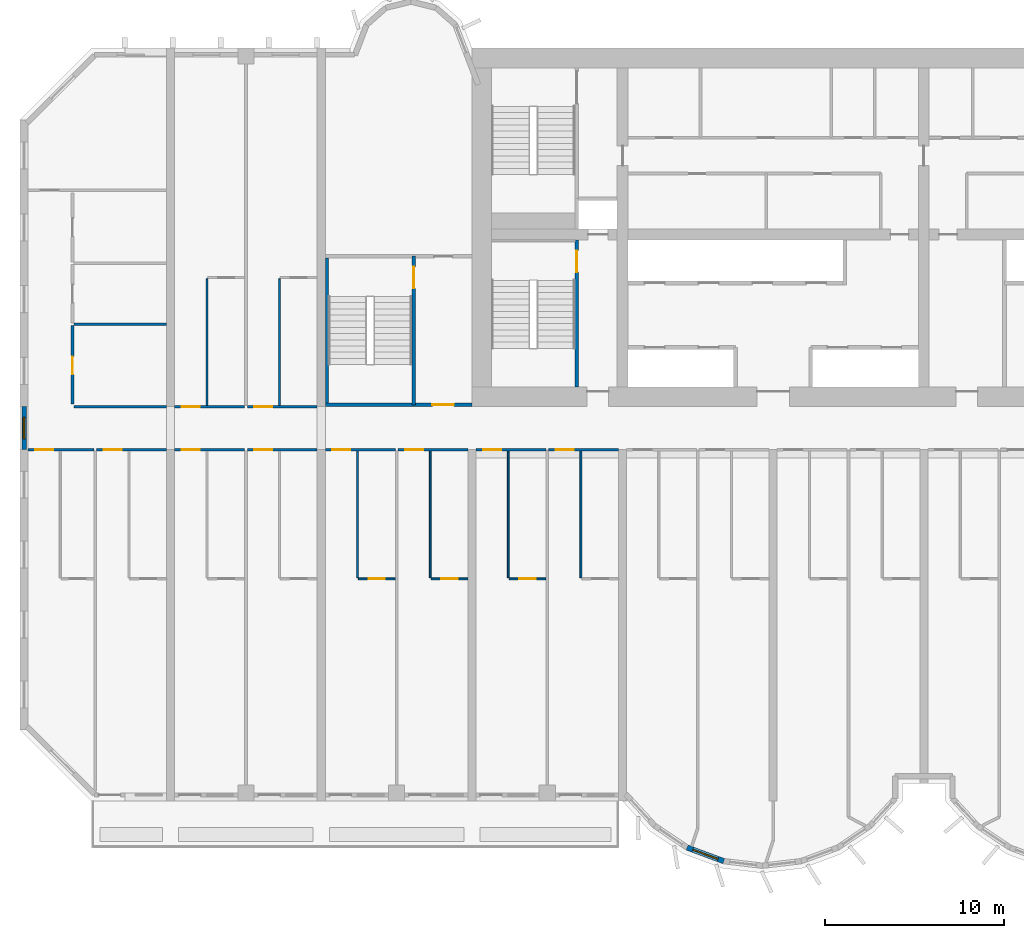
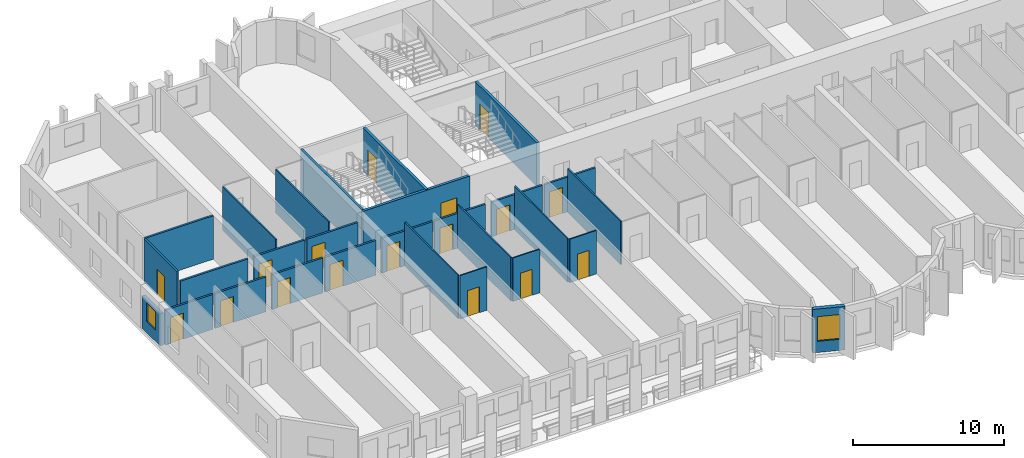
# One storey, part 3 of 15: 28 walls, 17 doors, 2 windows, 19 openings.
"""IFC4 building model written with IfcOpenShell, lengths in metres."""

from ifc_helpers import new_model, si_unit, direction, frame, frame_2d, origin, place, context, subcontext, project, spatial, rectangle, extrude, source, transform, mapped, material, layer, layer_set, type_object, element, fill, save


model = new_model("IFC4")

# Units and contexts
model_context = context("Model", 3, precision=1e-05, world=origin(), true_north=direction((0.0, 1.0)))
body_context = subcontext(model_context, "Body", "Model", "MODEL_VIEW")
ifc_project = project(units=[si_unit("LENGTHUNIT", "METRE"), si_unit("AREAUNIT", "SQUARE_METRE"), si_unit("VOLUMEUNIT", "CUBIC_METRE"), si_unit("PLANEANGLEUNIT", "RADIAN"), si_unit("MASSUNIT", "GRAM", prefix="KILO")], contexts=[model_context])

# Site, building, storey
site_placement = place(None, origin())
site = spatial("IfcSite", under=ifc_project, at=site_placement, CompositionType="ELEMENT")
building_placement = place(site_placement, origin())
building = spatial("IfcBuilding", under=site, at=building_placement, Name="Vanashikhar Sky Hotel", CompositionType="ELEMENT")
storey_placement = place(building_placement, frame((0.0, 0.0, 31.60009765625)))
storey = spatial("IfcBuildingStorey", under=building, at=storey_placement, Name="L06", CompositionType="ELEMENT", Elevation=31.60009765625)

# Wall, opening, window
ifc_material_1 = material(Name="Concrete M50", Category="concrete")
ifc_layer_1 = layer(ifc_material_1, 0.300048828125)
ifc_layer_set_1 = layer_set([ifc_layer_1], Name="Lobe wall 300")
wall_type_1 = type_object("IfcWallType", Name="Lobe wall 300", PredefinedType="SOLIDWALL", material=ifc_layer_set_1)
shared_shape_1 = source(origin(), body_context, "Body", "SweptSolid", [
    extrude(rectangle(XDim=2.17578125, YDim=0.300048828125, at=frame_2d((1.087890625, 0.0))), origin(), (0.0, 0.0, 1.0), 3.52001953125),
])
wall_1_placement = place(storey_placement, frame((37.20068359375, -2.58349609375, 0.0), z_axis=(0.0, 0.0, 1.0), x_axis=(0.93754555999, -0.347862505801, 0.0)))
wall_1 = element("IfcWall", 1, at=wall_1_placement, inside=storey, type_object=wall_type_1, Name="Lobe wall", PredefinedType="SOLIDWALL", context=body_context, shape_type="MappedRepresentation", body=[
    mapped(shared_shape_1, transform((0.0, 0.0, 0.0), scale=1.0)),
])
shared_shape_2 = source(origin(), body_context, "Body", "SweptSolid", [
    extrude(rectangle(XDim=1.5, YDim=2.0, at=frame_2d((0.75, 1.0))), frame((0.0, 0.16015625, 0.0), z_axis=(0.0, -1.0, 0.0), x_axis=(1.0, 0.0, 0.0)), (0.0, 0.0, 1.0), 0.320068359375),
])
opening_1_placement = place(wall_1_placement, frame((0.337890625, 0.0, 0.89990234375)))
opening_1 = element("IfcOpeningElement", 2, at=opening_1_placement, cuts=wall_1, Name="Opening WN-2", PredefinedType="OPENING", context=body_context, shape_type="MappedRepresentation", body=[
    mapped(shared_shape_2, transform((0.0, 0.0, 0.0), scale=1.0)),
])
ifc_material_2 = material(Name="Glass", Category="glass")
window_type_1 = type_object("IfcWindowType", Name="Lobe window 1500 x 2000", PartitioningType="SINGLE_PANEL", PredefinedType="WINDOW", material=ifc_material_2)
shared_shape_3 = source(origin(), body_context, "Body", "SweptSolid", [
    extrude(rectangle(XDim=1.5, YDim=2.0, at=frame_2d((0.75, 1.0))), frame((0.0, 0.030029296875, 0.0), z_axis=(0.0, -1.0, 0.0), x_axis=(1.0, 0.0, 0.0)), (0.0, 0.0, 1.0), 0.06005859375),
])
window_1_placement = place(opening_1_placement, origin())
window_1 = element("IfcWindow", 3, at=window_1_placement, inside=storey, type_object=window_type_1, Name="Window WN-2", OverallHeight=2.0, OverallWidth=1.5, PartitioningType="SINGLE_PANEL", PredefinedType="WINDOW", context=body_context, shape_type="MappedRepresentation", body=[
    mapped(shared_shape_3, transform((0.0, 0.0, 0.0), scale=1.0)),
])
fill(opening_1, window_1)

ifc_layer_2 = layer(ifc_material_1, 0.25)
ifc_layer_set_2 = layer_set([ifc_layer_2], Name="Rear and end board-marked wall 250")
wall_type_2 = type_object("IfcWallType", Name="Rear and end board-marked wall 250", PredefinedType="SOLIDWALL", material=ifc_layer_set_2)
shared_shape_4 = source(origin(), body_context, "Body", "SweptSolid", [
    extrude(rectangle(XDim=2.39990234375, YDim=0.25, at=frame_2d((1.199951171875, 0.0))), origin(), (0.0, 0.0, 1.0), 2.619873046875),
])
wall_2_placement = place(storey_placement, frame((0.22509765625, 19.60009765625, 0.0), z_axis=(0.0, 0.0, 1.0), x_axis=(0.0, 1.0, 0.0)))
wall_2 = element("IfcWall", 4, at=wall_2_placement, inside=storey, type_object=wall_type_2, Name="End corridor infill wall", PredefinedType="SOLIDWALL", context=body_context, shape_type="MappedRepresentation", body=[
    mapped(shared_shape_4, transform((0.0, 0.0, 0.0), scale=1.0)),
])
shared_shape_5 = source(origin(), body_context, "Body", "SweptSolid", [
    extrude(rectangle(XDim=1.199951171875, YDim=1.5, at=frame_2d((0.60009765625, 0.75))), frame((0.0, 0.135009765625, 0.0), z_axis=(0.0, -1.0, 0.0), x_axis=(1.0, 0.0, 0.0)), (0.0, 0.0, 1.0), 0.27001953125),
])
opening_2_placement = place(wall_2_placement, frame((0.60009765625, 0.0, 0.89990234375)))
opening_2 = element("IfcOpeningElement", 5, at=opening_2_placement, cuts=wall_2, Name="Opening WN-3", PredefinedType="OPENING", context=body_context, shape_type="MappedRepresentation", body=[
    mapped(shared_shape_5, transform((0.0, 0.0, 0.0), scale=1.0)),
])
window_type_2 = type_object("IfcWindowType", Name="Corridor end window 1200 x 1500", PartitioningType="SINGLE_PANEL", PredefinedType="WINDOW", material=ifc_material_2)
shared_shape_6 = source(origin(), body_context, "Body", "SweptSolid", [
    extrude(rectangle(XDim=1.199951171875, YDim=1.5, at=frame_2d((0.60009765625, 0.75))), frame((0.0, 0.030029296875, 0.0), z_axis=(0.0, -1.0, 0.0), x_axis=(1.0, 0.0, 0.0)), (0.0, 0.0, 1.0), 0.06005859375),
])
window_2_placement = place(opening_2_placement, origin())
window_2 = element("IfcWindow", 6, at=window_2_placement, inside=storey, type_object=window_type_2, Name="Window WN-3", OverallHeight=1.5, OverallWidth=1.199951171875, PartitioningType="SINGLE_PANEL", PredefinedType="WINDOW", context=body_context, shape_type="MappedRepresentation", body=[
    mapped(shared_shape_6, transform((0.0, 0.0, 0.0), scale=1.0)),
])
fill(opening_2, window_2)

# Wall, opening, door
ifc_layer_3 = layer(ifc_material_1, 0.199951171875)
ifc_layer_set_3 = layer_set([ifc_layer_3], Name="Stair wall 200")
wall_type_3 = type_object("IfcWallType", Name="Stair wall 200", PredefinedType="SOLIDWALL", material=ifc_layer_set_3)
shared_shape_7 = source(origin(), body_context, "Body", "SweptSolid", [
    extrude(rectangle(XDim=8.199951171875, YDim=0.199951171875, at=frame_2d((4.10009765625, 0.0))), origin(), (0.0, 0.0, 1.0), 3.52001953125),
])
wall_3_placement = place(storey_placement, frame((31.050048828125, 23.10009765625, 0.0), z_axis=(0.0, 0.0, 1.0), x_axis=(0.0, 1.0, 0.0)))
wall_3 = element("IfcWall", 7, at=wall_3_placement, inside=storey, type_object=wall_type_3, Name="Stair wall 200", PredefinedType="SOLIDWALL", context=body_context, shape_type="MappedRepresentation", body=[
    mapped(shared_shape_7, transform((0.0, 0.0, 0.0), scale=1.0)),
])
shared_shape_8 = source(origin(), body_context, "Body", "SweptSolid", [
    extrude(rectangle(XDim=1.199951171875, YDim=2.10009765625, at=frame_2d((0.60009765625, 1.050048828125))), frame((0.0, 0.10986328125, 0.0), z_axis=(0.0, -1.0, 0.0), x_axis=(1.0, 0.0, 0.0)), (0.0, 0.0, 1.0), 0.219970703125),
])
opening_3_placement = place(wall_3_placement, frame((6.39990234375, 0.0, 0.0)))
opening_3 = element("IfcOpeningElement", 8, at=opening_3_placement, cuts=wall_3, Name="Opening DC-1", PredefinedType="OPENING", context=body_context, shape_type="MappedRepresentation", body=[
    mapped(shared_shape_8, transform((0.0, 0.0, 0.0), scale=1.0)),
])
ifc_material_3 = material(Name="Steel", Category="steel")
door_type_1 = type_object("IfcDoorType", Name="Stair door 1200 FD120", OperationType="NOTDEFINED", PredefinedType="DOOR", material=ifc_material_3)
shared_shape_9 = source(origin(), body_context, "Body", "SweptSolid", [
    extrude(rectangle(XDim=1.199951171875, YDim=2.10009765625, at=frame_2d((0.60009765625, 1.050048828125))), frame((0.0, 0.02490234375, 0.0), z_axis=(0.0, -1.0, 0.0), x_axis=(1.0, 0.0, 0.0)), (0.0, 0.0, 1.0), 0.050048828125),
])
door_1_placement = place(opening_3_placement, origin())
door_1 = element("IfcDoor", 9, at=door_1_placement, inside=storey, type_object=door_type_1, Name="Stair door 1200 FD120", OperationType="SINGLE_SWING_LEFT", OverallHeight=2.10009765625, OverallWidth=1.199951171875, PredefinedType="DOOR", context=body_context, shape_type="MappedRepresentation", body=[
    mapped(shared_shape_9, transform((0.0, 0.0, 0.0), scale=1.0)),
])
fill(opening_3, door_1)

shared_shape_10 = source(origin(), body_context, "Body", "SweptSolid", [
    extrude(rectangle(XDim=8.2998046875, YDim=0.199951171875, at=frame_2d((4.14990234375, 0.0))), origin(), (0.0, 0.0, 1.0), 3.52001953125),
])
wall_4_placement = place(storey_placement, frame((21.949951171875, 22.10009765625, 0.0), z_axis=(0.0, 0.0, 1.0), x_axis=(0.0, 1.0, 0.0)))
wall_4 = element("IfcWall", 10, at=wall_4_placement, inside=storey, type_object=wall_type_3, Name="Stair wall 200", PredefinedType="SOLIDWALL", context=body_context, shape_type="MappedRepresentation", body=[
    mapped(shared_shape_10, transform((0.0, 0.0, 0.0), scale=1.0)),
])
opening_4_placement = place(wall_4_placement, frame((6.5, 0.0, 0.0)))
opening_4 = element("IfcOpeningElement", 11, at=opening_4_placement, cuts=wall_4, Name="Opening DC-1", PredefinedType="OPENING", context=body_context, shape_type="MappedRepresentation", body=[
    mapped(shared_shape_8, transform((0.0, 0.0, 0.0), scale=1.0)),
])
door_2_placement = place(opening_4_placement, origin())
door_2 = element("IfcDoor", 12, at=door_2_placement, inside=storey, type_object=door_type_1, Name="Stair door 1200 FD120", OperationType="SINGLE_SWING_LEFT", OverallHeight=2.10009765625, OverallWidth=1.199951171875, PredefinedType="DOOR", context=body_context, shape_type="MappedRepresentation", body=[
    mapped(shared_shape_9, transform((0.0, 0.0, 0.0), scale=1.0)),
])
fill(opening_4, door_2)

shared_shape_11 = source(origin(), body_context, "Body", "SweptSolid", [
    extrude(rectangle(XDim=8.175048828125, YDim=0.199951171875, at=frame_2d((4.08740234375, 0.0))), origin(), (0.0, 0.0, 1.0), 3.52001953125),
])
wall_5_placement = place(storey_placement, frame((17.02490234375, 22.10009765625, 0.0), z_axis=(0.0, 0.0, 1.0), x_axis=(1.0, 0.0, 0.0)))
wall_5 = element("IfcWall", 13, at=wall_5_placement, inside=storey, type_object=wall_type_3, Name="Stair wall 200", PredefinedType="SOLIDWALL", context=body_context, shape_type="MappedRepresentation", body=[
    mapped(shared_shape_11, transform((0.0, 0.0, 0.0), scale=1.0)),
])
opening_5_placement = place(wall_5_placement, frame((5.97509765625, 0.0, 0.0)))
opening_5 = element("IfcOpeningElement", 14, at=opening_5_placement, cuts=wall_5, Name="Opening DC-2", PredefinedType="OPENING", context=body_context, shape_type="MappedRepresentation", body=[
    mapped(shared_shape_8, transform((0.0, 0.0, 0.0), scale=1.0)),
])
door_type_2 = type_object("IfcDoorType", Name="Firefighting lobby door 1200 FD120", OperationType="NOTDEFINED", PredefinedType="DOOR", material=ifc_material_3)
door_3_placement = place(opening_5_placement, origin())
door_3 = element("IfcDoor", 15, at=door_3_placement, inside=storey, type_object=door_type_2, Name="Firefighting lobby door 1200 FD120", OperationType="SINGLE_SWING_LEFT", OverallHeight=2.10009765625, OverallWidth=1.199951171875, PredefinedType="DOOR", context=body_context, shape_type="MappedRepresentation", body=[
    mapped(shared_shape_9, transform((0.0, 0.0, 0.0), scale=1.0)),
])
fill(opening_5, door_3)

# Walls
ifc_layer_4 = layer(ifc_material_1, 0.175048828125)
ifc_layer_set_4 = layer_set([ifc_layer_4], Name="Stair infill wall 175")
wall_type_4 = type_object("IfcWallType", Name="Stair infill wall 175", PredefinedType="SOLIDWALL", material=ifc_layer_set_4)
shared_shape_12 = source(origin(), body_context, "Body", "SweptSolid", [
    extrude(rectangle(XDim=8.10009765625, YDim=0.175048828125, at=frame_2d((4.050048828125, 0.0))), origin(), (0.0, 0.0, 1.0), 3.52001953125),
])
wall_6_placement = place(storey_placement, frame((17.112060546875, 22.199951171875, 0.0), z_axis=(0.0, 0.0, 1.0), x_axis=(0.0, 1.0, 0.0)))
element("IfcWall", 16, at=wall_6_placement, inside=storey, type_object=wall_type_4, Name="Stair infill wall 175", PredefinedType="SOLIDWALL", context=body_context, shape_type="MappedRepresentation", body=[
    mapped(shared_shape_12, transform((0.0, 0.0, 0.0), scale=1.0)),
])
ifc_material_4 = material(Name="Gypsum plasterboard partition")
ifc_layer_5 = layer(ifc_material_4, 0.10009765625)
ifc_layer_set_5 = layer_set([ifc_layer_5], Name="Wet room partition 100")
wall_type_5 = type_object("IfcWallType", Name="Wet room partition 100", PredefinedType="PARTITIONING", material=ifc_layer_set_5)
shared_shape_13 = source(origin(), body_context, "Body", "SweptSolid", [
    extrude(rectangle(XDim=7.0498046875, YDim=0.10009765625, at=frame_2d((3.52490234375, 0.0))), origin(), (0.0, 0.0, 1.0), 3.52001953125),
])
for number, where, z_axis, x_axis, name in (
    (17, (18.824951171875, 12.47509765625, 0.0), (0.0, 0.0, 1.0), (0.0, 1.0, 0.0), "W-L06-PW015"),
    (18, (22.875, 12.47509765625, 0.0), (0.0, 0.0, 1.0), (0.0, 1.0, 0.0), "W-L06-PW018"),
    (19, (27.22509765625, 12.47509765625, 0.0), (0.0, 0.0, 1.0), (0.0, 1.0, 0.0), "W-L06-PW022"),
    (20, (31.27490234375, 12.47509765625, 0.0), (0.0, 0.0, 1.0), (0.0, 1.0, 0.0), "W-L06-PW025"),
):
    element("IfcWall", number, at=place(storey_placement, frame(where, z_axis=z_axis, x_axis=x_axis)), inside=storey, type_object=wall_type_5, Name=name, PredefinedType="PARTITIONING", context=body_context, shape_type="MappedRepresentation", body=[
        mapped(shared_shape_13, transform((0.0, 0.0, 0.0), scale=1.0)),
    ])

# Wall, opening, door
shared_shape_14 = source(origin(), body_context, "Body", "SweptSolid", [
    extrude(rectangle(XDim=2.050048828125, YDim=0.10009765625, at=frame_2d((1.02490234375, 0.0))), origin(), (0.0, 0.0, 1.0), 3.52001953125),
])
wall_7_placement = place(storey_placement, frame((18.875, 12.39990234375, 0.0), z_axis=(0.0, 0.0, 1.0), x_axis=(1.0, 0.0, 0.0)))
wall_7 = element("IfcWall", 21, at=wall_7_placement, inside=storey, type_object=wall_type_5, Name="W-L06-PW016", PredefinedType="PARTITIONING", context=body_context, shape_type="MappedRepresentation", body=[
    mapped(shared_shape_14, transform((0.0, 0.0, 0.0), scale=1.0)),
])
shared_shape_15 = source(origin(), body_context, "Body", "SweptSolid", [
    extrude(rectangle(XDim=0.89990234375, YDim=2.10009765625, at=frame_2d((0.449951171875, 1.050048828125))), frame((0.0, 0.06005859375, 0.0), z_axis=(0.0, -1.0, 0.0), x_axis=(1.0, 0.0, 0.0)), (0.0, 0.0, 1.0), 0.1201171875),
])
opening_6_placement = place(wall_7_placement, frame((0.574951171875, 0.0, 0.0)))
opening_6 = element("IfcOpeningElement", 22, at=opening_6_placement, cuts=wall_7, Name="Opening D-02", PredefinedType="OPENING", context=body_context, shape_type="MappedRepresentation", body=[
    mapped(shared_shape_15, transform((0.0, 0.0, 0.0), scale=1.0)),
])
ifc_material_5 = material(Name="Timber door", Category="wood")
door_type_3 = type_object("IfcDoorType", Name="Internal door 900", OperationType="NOTDEFINED", PredefinedType="DOOR", material=ifc_material_5)
shared_shape_16 = source(origin(), body_context, "Body", "SweptSolid", [
    extrude(rectangle(XDim=0.89990234375, YDim=2.10009765625, at=frame_2d((0.449951171875, 1.050048828125))), frame((0.0, 0.02490234375, 0.0), z_axis=(0.0, -1.0, 0.0), x_axis=(1.0, 0.0, 0.0)), (0.0, 0.0, 1.0), 0.050048828125),
])
door_4_placement = place(opening_6_placement, origin())
door_4 = element("IfcDoor", 23, at=door_4_placement, inside=storey, type_object=door_type_3, Name="D-L06-009", OperationType="SINGLE_SWING_LEFT", OverallHeight=2.10009765625, OverallWidth=0.89990234375, PredefinedType="DOOR", context=body_context, shape_type="MappedRepresentation", body=[
    mapped(shared_shape_16, transform((0.0, 0.0, 0.0), scale=1.0)),
])
fill(opening_6, door_4)

wall_8_placement = place(storey_placement, frame((22.925048828125, 12.39990234375, 0.0), z_axis=(0.0, 0.0, 1.0), x_axis=(1.0, 0.0, 0.0)))
wall_8 = element("IfcWall", 24, at=wall_8_placement, inside=storey, type_object=wall_type_5, Name="W-L06-PW019", PredefinedType="PARTITIONING", context=body_context, shape_type="MappedRepresentation", body=[
    mapped(shared_shape_14, transform((0.0, 0.0, 0.0), scale=1.0)),
])
opening_7_placement = place(wall_8_placement, frame((0.574951171875, 0.0, 0.0)))
opening_7 = element("IfcOpeningElement", 25, at=opening_7_placement, cuts=wall_8, Name="Opening D-02", PredefinedType="OPENING", context=body_context, shape_type="MappedRepresentation", body=[
    mapped(shared_shape_15, transform((0.0, 0.0, 0.0), scale=1.0)),
])
door_5_placement = place(opening_7_placement, origin())
door_5 = element("IfcDoor", 26, at=door_5_placement, inside=storey, type_object=door_type_3, Name="D-L06-011", OperationType="SINGLE_SWING_LEFT", OverallHeight=2.10009765625, OverallWidth=0.89990234375, PredefinedType="DOOR", context=body_context, shape_type="MappedRepresentation", body=[
    mapped(shared_shape_16, transform((0.0, 0.0, 0.0), scale=1.0)),
])
fill(opening_7, door_5)

wall_9_placement = place(storey_placement, frame((27.27490234375, 12.39990234375, 0.0), z_axis=(0.0, 0.0, 1.0), x_axis=(1.0, 0.0, 0.0)))
wall_9 = element("IfcWall", 27, at=wall_9_placement, inside=storey, type_object=wall_type_5, Name="W-L06-PW023", PredefinedType="PARTITIONING", context=body_context, shape_type="MappedRepresentation", body=[
    mapped(shared_shape_14, transform((0.0, 0.0, 0.0), scale=1.0)),
])
opening_8_placement = place(wall_9_placement, frame((0.574951171875, 0.0, 0.0)))
opening_8 = element("IfcOpeningElement", 28, at=opening_8_placement, cuts=wall_9, Name="Opening D-02", PredefinedType="OPENING", context=body_context, shape_type="MappedRepresentation", body=[
    mapped(shared_shape_15, transform((0.0, 0.0, 0.0), scale=1.0)),
])
door_6_placement = place(opening_8_placement, origin())
door_6 = element("IfcDoor", 29, at=door_6_placement, inside=storey, type_object=door_type_3, Name="D-L06-013", OperationType="SINGLE_SWING_LEFT", OverallHeight=2.10009765625, OverallWidth=0.89990234375, PredefinedType="DOOR", context=body_context, shape_type="MappedRepresentation", body=[
    mapped(shared_shape_16, transform((0.0, 0.0, 0.0), scale=1.0)),
])
fill(opening_8, door_6)

ifc_layer_6 = layer(ifc_material_4, 0.14990234375)
ifc_layer_set_6 = layer_set([ifc_layer_6], Name="Corridor and demising partition 150")
wall_type_6 = type_object("IfcWallType", Name="Corridor and demising partition 150", PredefinedType="PARTITIONING", material=ifc_layer_set_6)
shared_shape_17 = source(origin(), body_context, "Body", "SweptSolid", [
    extrude(rectangle(XDim=4.375, YDim=0.14990234375, at=frame_2d((2.1875, 0.0))), origin(), (0.0, 0.0, 1.0), 3.52001953125),
])
wall_10_placement = place(storey_placement, frame((2.925048828125, 22.14990234375, 0.0), z_axis=(0.0, 0.0, 1.0), x_axis=(0.0, 1.0, 0.0)))
wall_10 = element("IfcWall", 30, at=wall_10_placement, inside=storey, type_object=wall_type_6, Name="W-L06-PW088", PredefinedType="PARTITIONING", context=body_context, shape_type="MappedRepresentation", body=[
    mapped(shared_shape_17, transform((0.0, 0.0, 0.0), scale=1.0)),
])
shared_shape_18 = source(origin(), body_context, "Body", "SweptSolid", [
    extrude(rectangle(XDim=1.0, YDim=2.10009765625, at=frame_2d((0.5, 1.050048828125))), frame((0.0, 0.0849609375, 0.0), z_axis=(0.0, -1.0, 0.0), x_axis=(1.0, 0.0, 0.0)), (0.0, 0.0, 1.0), 0.169921875),
])
opening_9_placement = place(wall_10_placement, frame((1.64990234375, 0.0, 0.0)))
opening_9 = element("IfcOpeningElement", 31, at=opening_9_placement, cuts=wall_10, Name="Opening D-01", PredefinedType="OPENING", context=body_context, shape_type="MappedRepresentation", body=[
    mapped(shared_shape_18, transform((0.0, 0.0, 0.0), scale=1.0)),
])
ifc_material_6 = material(Name="Timber fire door", Category="wood")
door_type_4 = type_object("IfcDoorType", Name="Guest entry door 1000 FD30S", OperationType="NOTDEFINED", PredefinedType="DOOR", material=ifc_material_6)
shared_shape_19 = source(origin(), body_context, "Body", "SweptSolid", [
    extrude(rectangle(XDim=1.0, YDim=2.10009765625, at=frame_2d((0.5, 1.050048828125))), frame((0.0, 0.02490234375, 0.0), z_axis=(0.0, -1.0, 0.0), x_axis=(1.0, 0.0, 0.0)), (0.0, 0.0, 1.0), 0.050048828125),
])
door_7_placement = place(opening_9_placement, origin())
door_7 = element("IfcDoor", 32, at=door_7_placement, inside=storey, type_object=door_type_4, Name="D-L06-049", OperationType="SINGLE_SWING_LEFT", OverallHeight=2.10009765625, OverallWidth=1.0, PredefinedType="DOOR", context=body_context, shape_type="MappedRepresentation", body=[
    mapped(shared_shape_19, transform((0.0, 0.0, 0.0), scale=1.0)),
])
fill(opening_9, door_7)

# Walls
shared_shape_20 = source(origin(), body_context, "Body", "SweptSolid", [
    extrude(rectangle(XDim=5.175048828125, YDim=0.14990234375, at=frame_2d((2.58740234375, 0.0))), origin(), (0.0, 0.0, 1.0), 3.52001953125),
])
wall_11_placement = place(storey_placement, frame((3.0, 26.60009765625, 0.0), z_axis=(0.0, 0.0, 1.0), x_axis=(1.0, 0.0, 0.0)))
element("IfcWall", 33, at=wall_11_placement, inside=storey, type_object=wall_type_6, Name="W-L06-PW089", PredefinedType="PARTITIONING", context=body_context, shape_type="MappedRepresentation", body=[
    mapped(shared_shape_20, transform((0.0, 0.0, 0.0), scale=1.0)),
])
shared_shape_21 = source(origin(), body_context, "Body", "SweptSolid", [
    extrude(rectangle(XDim=7.050048828125, YDim=0.10009765625, at=frame_2d((3.52490234375, 0.0))), origin(), (0.0, 0.0, 1.0), 3.52001953125),
])
for number, where, z_axis, x_axis, name in (
    (34, (10.425048828125, 22.074951171875, 0.0), (0.0, 0.0, 1.0), (0.0, 1.0, 0.0), "W-L06-PW094"),
    (35, (14.47509765625, 22.074951171875, 0.0), (0.0, 0.0, 1.0), (0.0, 1.0, 0.0), "W-L06-PW097"),
):
    element("IfcWall", number, at=place(storey_placement, frame(where, z_axis=z_axis, x_axis=x_axis)), inside=storey, type_object=wall_type_5, Name=name, PredefinedType="PARTITIONING", context=body_context, shape_type="MappedRepresentation", body=[
        mapped(shared_shape_21, transform((0.0, 0.0, 0.0), scale=1.0)),
    ])

# Wall, opening, door
shared_shape_22 = source(origin(), body_context, "Body", "SweptSolid", [
    extrude(rectangle(XDim=3.675048828125, YDim=0.14990234375, at=frame_2d((1.83740234375, 0.0))), origin(), (0.0, 0.0, 1.0), 2.81982421875),
])
wall_12_placement = place(storey_placement, frame((0.449951171875, 19.60009765625, 0.0), z_axis=(0.0, 0.0, 1.0), x_axis=(1.0, 0.0, 0.0)))
wall_12 = element("IfcWall", 36, at=wall_12_placement, inside=storey, type_object=wall_type_6, Name="W-L06-PW003", PredefinedType="PARTITIONING", context=body_context, shape_type="MappedRepresentation", body=[
    mapped(shared_shape_22, transform((0.0, 0.0, 0.0), scale=1.0)),
])
opening_10_placement = place(wall_12_placement, frame((0.39990234375, 0.0, 0.0)))
opening_10 = element("IfcOpeningElement", 37, at=opening_10_placement, cuts=wall_12, Name="Opening D-01", PredefinedType="OPENING", context=body_context, shape_type="MappedRepresentation", body=[
    mapped(shared_shape_18, transform((0.0, 0.0, 0.0), scale=1.0)),
])
door_8_placement = place(opening_10_placement, origin())
door_8 = element("IfcDoor", 38, at=door_8_placement, inside=storey, type_object=door_type_4, Name="D-L06-002", OperationType="SINGLE_SWING_LEFT", OverallHeight=2.10009765625, OverallWidth=1.0, PredefinedType="DOOR", context=body_context, shape_type="MappedRepresentation", body=[
    mapped(shared_shape_19, transform((0.0, 0.0, 0.0), scale=1.0)),
])
fill(opening_10, door_8)

shared_shape_23 = source(origin(), body_context, "Body", "SweptSolid", [
    extrude(rectangle(XDim=3.900146484375, YDim=0.14990234375, at=frame_2d((1.9501953125, 0.0))), origin(), (0.0, 0.0, 1.0), 2.81982421875),
])
wall_13_placement = place(storey_placement, frame((4.27490234375, 19.60009765625, 0.0), z_axis=(0.0, 0.0, 1.0), x_axis=(1.0, 0.0, 0.0)))
wall_13 = element("IfcWall", 39, at=wall_13_placement, inside=storey, type_object=wall_type_6, Name="W-L06-PW006", PredefinedType="PARTITIONING", context=body_context, shape_type="MappedRepresentation", body=[
    mapped(shared_shape_23, transform((0.0, 0.0, 0.0), scale=1.0)),
])
opening_11_placement = place(wall_13_placement, frame((0.39990234375, 0.0, 0.0)))
opening_11 = element("IfcOpeningElement", 40, at=opening_11_placement, cuts=wall_13, Name="Opening D-01", PredefinedType="OPENING", context=body_context, shape_type="MappedRepresentation", body=[
    mapped(shared_shape_18, transform((0.0, 0.0, 0.0), scale=1.0)),
])
door_9_placement = place(opening_11_placement, origin())
door_9 = element("IfcDoor", 41, at=door_9_placement, inside=storey, type_object=door_type_4, Name="D-L06-004", OperationType="SINGLE_SWING_LEFT", OverallHeight=2.10009765625, OverallWidth=1.0, PredefinedType="DOOR", context=body_context, shape_type="MappedRepresentation", body=[
    mapped(shared_shape_19, transform((0.0, 0.0, 0.0), scale=1.0)),
])
fill(opening_11, door_9)

wall_14_placement = place(storey_placement, frame((17.02490234375, 19.60009765625, 0.0), z_axis=(0.0, 0.0, 1.0), x_axis=(1.0, 0.0, 0.0)))
wall_14 = element("IfcWall", 42, at=wall_14_placement, inside=storey, type_object=wall_type_6, Name="W-L06-PW017", PredefinedType="PARTITIONING", context=body_context, shape_type="MappedRepresentation", body=[
    mapped(shared_shape_23, transform((0.0, 0.0, 0.0), scale=1.0)),
])
opening_12_placement = place(wall_14_placement, frame((0.39990234375, 0.0, 0.0)))
opening_12 = element("IfcOpeningElement", 43, at=opening_12_placement, cuts=wall_14, Name="Opening D-01", PredefinedType="OPENING", context=body_context, shape_type="MappedRepresentation", body=[
    mapped(shared_shape_18, transform((0.0, 0.0, 0.0), scale=1.0)),
])
door_10_placement = place(opening_12_placement, origin())
door_10 = element("IfcDoor", 44, at=door_10_placement, inside=storey, type_object=door_type_4, Name="D-L06-010", OperationType="SINGLE_SWING_LEFT", OverallHeight=2.10009765625, OverallWidth=1.0, PredefinedType="DOOR", context=body_context, shape_type="MappedRepresentation", body=[
    mapped(shared_shape_19, transform((0.0, 0.0, 0.0), scale=1.0)),
])
fill(opening_12, door_10)

wall_15_placement = place(storey_placement, frame((21.074951171875, 19.60009765625, 0.0), z_axis=(0.0, 0.0, 1.0), x_axis=(1.0, 0.0, 0.0)))
wall_15 = element("IfcWall", 45, at=wall_15_placement, inside=storey, type_object=wall_type_6, Name="W-L06-PW020", PredefinedType="PARTITIONING", context=body_context, shape_type="MappedRepresentation", body=[
    mapped(shared_shape_23, transform((0.0, 0.0, 0.0), scale=1.0)),
])
opening_13_placement = place(wall_15_placement, frame((0.39990234375, 0.0, 0.0)))
opening_13 = element("IfcOpeningElement", 46, at=opening_13_placement, cuts=wall_15, Name="Opening D-01", PredefinedType="OPENING", context=body_context, shape_type="MappedRepresentation", body=[
    mapped(shared_shape_18, transform((0.0, 0.0, 0.0), scale=1.0)),
])
door_11_placement = place(opening_13_placement, origin())
door_11 = element("IfcDoor", 47, at=door_11_placement, inside=storey, type_object=door_type_4, Name="D-L06-012", OperationType="SINGLE_SWING_LEFT", OverallHeight=2.10009765625, OverallWidth=1.0, PredefinedType="DOOR", context=body_context, shape_type="MappedRepresentation", body=[
    mapped(shared_shape_19, transform((0.0, 0.0, 0.0), scale=1.0)),
])
fill(opening_13, door_11)

shared_shape_24 = source(origin(), body_context, "Body", "SweptSolid", [
    extrude(rectangle(XDim=3.89990234375, YDim=0.14990234375, at=frame_2d((1.949951171875, 0.0))), origin(), (0.0, 0.0, 1.0), 2.81982421875),
])
wall_16_placement = place(storey_placement, frame((8.625, 19.60009765625, 0.0), z_axis=(0.0, 0.0, 1.0), x_axis=(1.0, 0.0, 0.0)))
wall_16 = element("IfcWall", 48, at=wall_16_placement, inside=storey, type_object=wall_type_6, Name="W-L06-PW010", PredefinedType="PARTITIONING", context=body_context, shape_type="MappedRepresentation", body=[
    mapped(shared_shape_24, transform((0.0, 0.0, 0.0), scale=1.0)),
])
opening_14_placement = place(wall_16_placement, frame((0.39990234375, 0.0, 0.0)))
opening_14 = element("IfcOpeningElement", 49, at=opening_14_placement, cuts=wall_16, Name="Opening D-01", PredefinedType="OPENING", context=body_context, shape_type="MappedRepresentation", body=[
    mapped(shared_shape_18, transform((0.0, 0.0, 0.0), scale=1.0)),
])
door_12_placement = place(opening_14_placement, origin())
door_12 = element("IfcDoor", 50, at=door_12_placement, inside=storey, type_object=door_type_4, Name="D-L06-006", OperationType="SINGLE_SWING_LEFT", OverallHeight=2.10009765625, OverallWidth=1.0, PredefinedType="DOOR", context=body_context, shape_type="MappedRepresentation", body=[
    mapped(shared_shape_19, transform((0.0, 0.0, 0.0), scale=1.0)),
])
fill(opening_14, door_12)

wall_17_placement = place(storey_placement, frame((12.675048828125, 19.60009765625, 0.0), z_axis=(0.0, 0.0, 1.0), x_axis=(1.0, 0.0, 0.0)))
wall_17 = element("IfcWall", 51, at=wall_17_placement, inside=storey, type_object=wall_type_6, Name="W-L06-PW013", PredefinedType="PARTITIONING", context=body_context, shape_type="MappedRepresentation", body=[
    mapped(shared_shape_24, transform((0.0, 0.0, 0.0), scale=1.0)),
])
opening_15_placement = place(wall_17_placement, frame((0.39990234375, 0.0, 0.0)))
opening_15 = element("IfcOpeningElement", 52, at=opening_15_placement, cuts=wall_17, Name="Opening D-01", PredefinedType="OPENING", context=body_context, shape_type="MappedRepresentation", body=[
    mapped(shared_shape_18, transform((0.0, 0.0, 0.0), scale=1.0)),
])
door_13_placement = place(opening_15_placement, origin())
door_13 = element("IfcDoor", 53, at=door_13_placement, inside=storey, type_object=door_type_4, Name="D-L06-008", OperationType="SINGLE_SWING_LEFT", OverallHeight=2.10009765625, OverallWidth=1.0, PredefinedType="DOOR", context=body_context, shape_type="MappedRepresentation", body=[
    mapped(shared_shape_19, transform((0.0, 0.0, 0.0), scale=1.0)),
])
fill(opening_15, door_13)

wall_18_placement = place(storey_placement, frame((25.425048828125, 19.60009765625, 0.0), z_axis=(0.0, 0.0, 1.0), x_axis=(1.0, 0.0, 0.0)))
wall_18 = element("IfcWall", 54, at=wall_18_placement, inside=storey, type_object=wall_type_6, Name="W-L06-PW024", PredefinedType="PARTITIONING", context=body_context, shape_type="MappedRepresentation", body=[
    mapped(shared_shape_24, transform((0.0, 0.0, 0.0), scale=1.0)),
])
opening_16_placement = place(wall_18_placement, frame((0.39990234375, 0.0, 0.0)))
opening_16 = element("IfcOpeningElement", 55, at=opening_16_placement, cuts=wall_18, Name="Opening D-01", PredefinedType="OPENING", context=body_context, shape_type="MappedRepresentation", body=[
    mapped(shared_shape_18, transform((0.0, 0.0, 0.0), scale=1.0)),
])
door_14_placement = place(opening_16_placement, origin())
door_14 = element("IfcDoor", 56, at=door_14_placement, inside=storey, type_object=door_type_4, Name="D-L06-014", OperationType="SINGLE_SWING_LEFT", OverallHeight=2.10009765625, OverallWidth=1.0, PredefinedType="DOOR", context=body_context, shape_type="MappedRepresentation", body=[
    mapped(shared_shape_19, transform((0.0, 0.0, 0.0), scale=1.0)),
])
fill(opening_16, door_14)

wall_19_placement = place(storey_placement, frame((29.47509765625, 19.60009765625, 0.0), z_axis=(0.0, 0.0, 1.0), x_axis=(1.0, 0.0, 0.0)))
wall_19 = element("IfcWall", 57, at=wall_19_placement, inside=storey, type_object=wall_type_6, Name="W-L06-PW027", PredefinedType="PARTITIONING", context=body_context, shape_type="MappedRepresentation", body=[
    mapped(shared_shape_24, transform((0.0, 0.0, 0.0), scale=1.0)),
])
opening_17_placement = place(wall_19_placement, frame((0.39990234375, 0.0, 0.0)))
opening_17 = element("IfcOpeningElement", 58, at=opening_17_placement, cuts=wall_19, Name="Opening D-01", PredefinedType="OPENING", context=body_context, shape_type="MappedRepresentation", body=[
    mapped(shared_shape_18, transform((0.0, 0.0, 0.0), scale=1.0)),
])
door_15_placement = place(opening_17_placement, origin())
door_15 = element("IfcDoor", 59, at=door_15_placement, inside=storey, type_object=door_type_4, Name="D-L06-016", OperationType="SINGLE_SWING_LEFT", OverallHeight=2.10009765625, OverallWidth=1.0, PredefinedType="DOOR", context=body_context, shape_type="MappedRepresentation", body=[
    mapped(shared_shape_19, transform((0.0, 0.0, 0.0), scale=1.0)),
])
fill(opening_17, door_15)

wall_20_placement = place(storey_placement, frame((8.625, 22.0, 0.0), z_axis=(0.0, 0.0, 1.0), x_axis=(1.0, 0.0, 0.0)))
wall_20 = element("IfcWall", 60, at=wall_20_placement, inside=storey, type_object=wall_type_6, Name="W-L06-PW096", PredefinedType="PARTITIONING", context=body_context, shape_type="MappedRepresentation", body=[
    mapped(shared_shape_24, transform((0.0, 0.0, 0.0), scale=1.0)),
])
opening_18_placement = place(wall_20_placement, frame((0.39990234375, 0.0, 0.0)))
opening_18 = element("IfcOpeningElement", 61, at=opening_18_placement, cuts=wall_20, Name="Opening D-01", PredefinedType="OPENING", context=body_context, shape_type="MappedRepresentation", body=[
    mapped(shared_shape_18, transform((0.0, 0.0, 0.0), scale=1.0)),
])
door_16_placement = place(opening_18_placement, origin())
door_16 = element("IfcDoor", 62, at=door_16_placement, inside=storey, type_object=door_type_4, Name="D-L06-054", OperationType="SINGLE_SWING_LEFT", OverallHeight=2.10009765625, OverallWidth=1.0, PredefinedType="DOOR", context=body_context, shape_type="MappedRepresentation", body=[
    mapped(shared_shape_19, transform((0.0, 0.0, 0.0), scale=1.0)),
])
fill(opening_18, door_16)

wall_21_placement = place(storey_placement, frame((12.675048828125, 22.0, 0.0), z_axis=(0.0, 0.0, 1.0), x_axis=(1.0, 0.0, 0.0)))
wall_21 = element("IfcWall", 63, at=wall_21_placement, inside=storey, type_object=wall_type_6, Name="W-L06-PW099", PredefinedType="PARTITIONING", context=body_context, shape_type="MappedRepresentation", body=[
    mapped(shared_shape_24, transform((0.0, 0.0, 0.0), scale=1.0)),
])
opening_19_placement = place(wall_21_placement, frame((0.39990234375, 0.0, 0.0)))
opening_19 = element("IfcOpeningElement", 64, at=opening_19_placement, cuts=wall_21, Name="Opening D-01", PredefinedType="OPENING", context=body_context, shape_type="MappedRepresentation", body=[
    mapped(shared_shape_18, transform((0.0, 0.0, 0.0), scale=1.0)),
])
door_17_placement = place(opening_19_placement, origin())
door_17 = element("IfcDoor", 65, at=door_17_placement, inside=storey, type_object=door_type_4, Name="D-L06-056", OperationType="SINGLE_SWING_LEFT", OverallHeight=2.10009765625, OverallWidth=1.0, PredefinedType="DOOR", context=body_context, shape_type="MappedRepresentation", body=[
    mapped(shared_shape_19, transform((0.0, 0.0, 0.0), scale=1.0)),
])
fill(opening_19, door_17)

# Wall
shared_shape_25 = source(origin(), body_context, "Body", "SweptSolid", [
    extrude(rectangle(XDim=5.175048828125, YDim=0.14990234375, at=frame_2d((2.58740234375, 0.0))), origin(), (0.0, 0.0, 1.0), 2.81982421875),
])
wall_22_placement = place(storey_placement, frame((3.0, 22.0, 0.0), z_axis=(0.0, 0.0, 1.0), x_axis=(1.0, 0.0, 0.0)))
element("IfcWall", 66, at=wall_22_placement, inside=storey, type_object=wall_type_6, Name="W-L06-PW087", PredefinedType="PARTITIONING", context=body_context, shape_type="MappedRepresentation", body=[
    mapped(shared_shape_25, transform((0.0, 0.0, 0.0), scale=1.0)),
])

save(model, "model.ifc")
